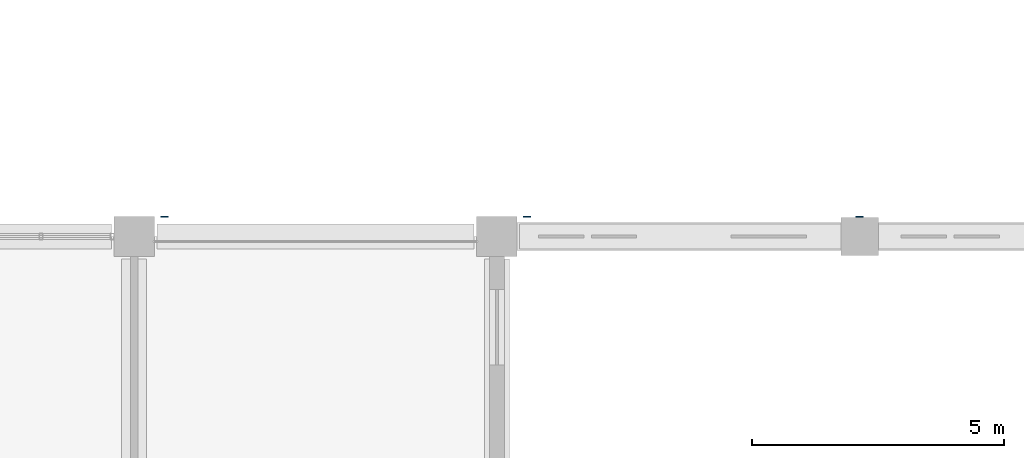
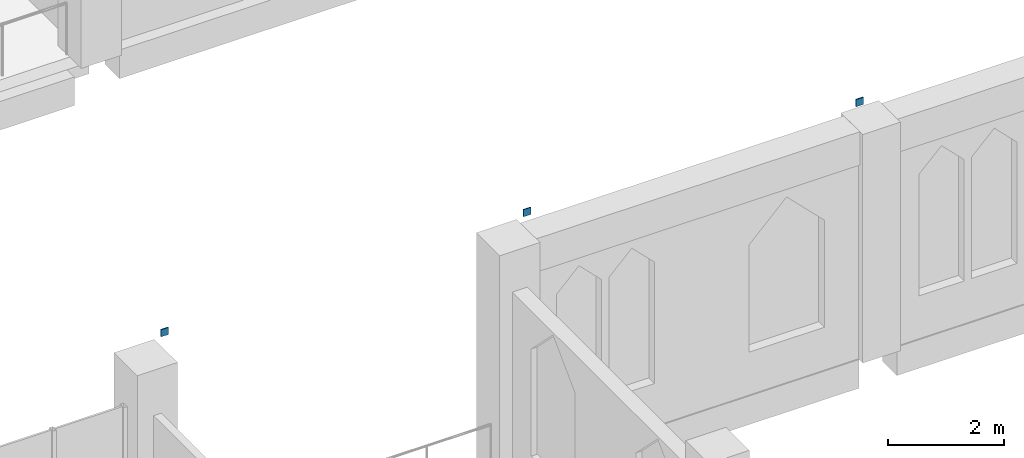
# One storey, part 26 of 31: 3 discrete accessories.
"""IFC4 building model written with IfcOpenShell, lengths in metres."""

from ifc_helpers import new_model, si_unit, direction, frame, origin, origin_2d, place, context, subcontext, project, spatial, rectangle, extrude, material, element, save


model = new_model("IFC4")

# Units and contexts
model_context = context("Model", 3, precision=1e-05, world=origin(), true_north=direction((0.0, 1.0)))
body_context = subcontext(model_context, "Body", "Model", "MODEL_VIEW")
ifc_project = project(units=[si_unit("LENGTHUNIT", "METRE"), si_unit("AREAUNIT", "SQUARE_METRE"), si_unit("VOLUMEUNIT", "CUBIC_METRE"), si_unit("PLANEANGLEUNIT", "RADIAN"), si_unit("MASSUNIT", "GRAM", prefix="KILO")], contexts=[model_context])

# Site, building, storey
site_placement = place(None, origin())
site = spatial("IfcSite", under=ifc_project, at=site_placement, CompositionType="ELEMENT")
building_placement = place(site_placement, origin())
building = spatial("IfcBuilding", under=site, at=building_placement, Name="Silangan Lancet Faculty of Sciences", CompositionType="ELEMENT")
storey_placement = place(building_placement, frame((0.0, 0.0, 36.0)))
storey = spatial("IfcBuildingStorey", under=building, at=storey_placement, Name="L07", CompositionType="ELEMENT", Elevation=36.0)

# Discrete accessories
ifc_material = material(Name="Steel STKR400", Category="steel")
for number, where, z_axis, x_axis, name in (
    (1, (22.199951171875, 21.989990234375, 4.820068359375), (0.0, 0.0, 1.0), (1.0, 0.0, 0.0), "Truss 4 bottom chord cap"),
    (2, (29.39990234375, 21.989990234375, 4.820068359375), (0.0, 0.0, 1.0), (1.0, 0.0, 0.0), "Truss 5 bottom chord cap"),
    (3, (36.0, 21.989990234375, 4.820068359375), (0.0, 0.0, 1.0), (1.0, 0.0, 0.0), "Truss 6 bottom chord cap"),
):
    element("IfcDiscreteAccessory", number, at=place(storey_placement, frame(where, z_axis=z_axis, x_axis=x_axis)), inside=storey, material=ifc_material, Name=name, ObjectType="END CAP", PredefinedType="USERDEFINED", context=body_context, shape_type="SweptSolid", body=[
        extrude(rectangle(XDim=0.14990234375, YDim=0.02001953125, at=origin_2d()), origin(), (0.0, 0.0, 1.0), 0.14990234375),
    ])

save(model, "model.ifc")
